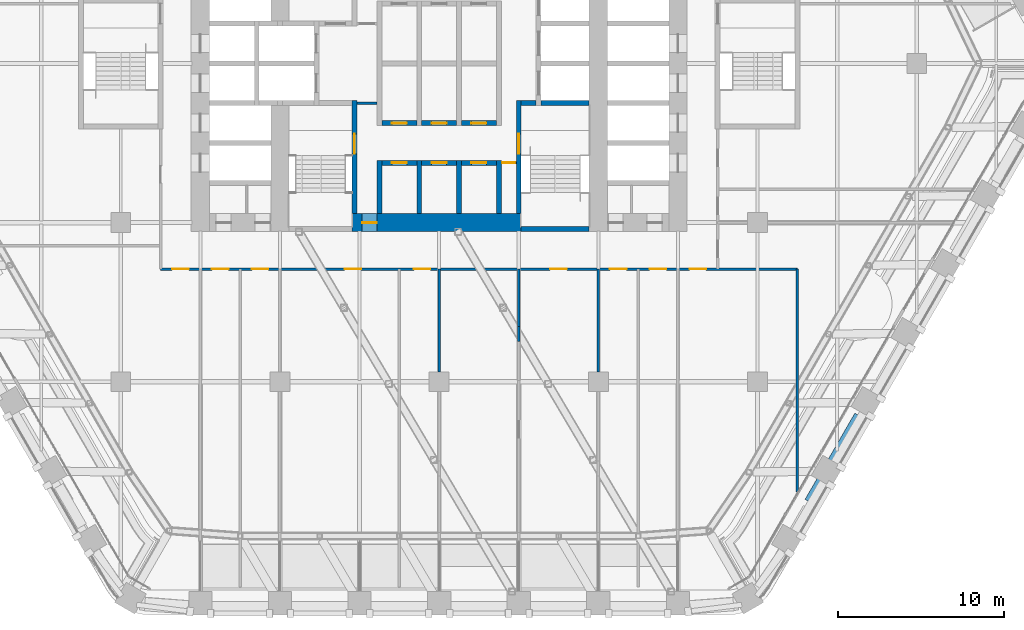
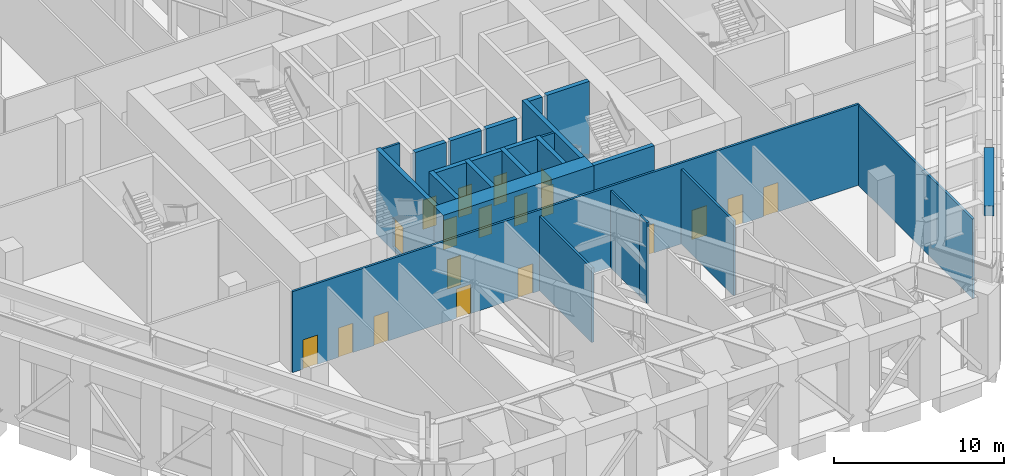
# One storey, part 19 of 35: 25 walls, 19 doors, 19 openings.
"""IFC4 building model written with IfcOpenShell, lengths in metres."""

from ifc_helpers import new_model, si_unit, direction, frame, frame_2d, origin, place, context, subcontext, project, spatial, rectangle, extrude, material, layer, layer_set, type_object, element, fill, save


model = new_model("IFC4")

# Units and contexts
model_context = context("Model", 3, precision=1e-05, world=origin(), true_north=direction((0.0, 1.0)))
body_context = subcontext(model_context, "Body", "Model", "MODEL_VIEW")
ifc_project = project(units=[si_unit("LENGTHUNIT", "METRE"), si_unit("AREAUNIT", "SQUARE_METRE"), si_unit("VOLUMEUNIT", "CUBIC_METRE"), si_unit("PLANEANGLEUNIT", "RADIAN"), si_unit("MASSUNIT", "GRAM", prefix="KILO")], contexts=[model_context])

# Site, building, storey
site_placement = place(None, origin())
site = spatial("IfcSite", under=ifc_project, at=site_placement, CompositionType="ELEMENT")
building_placement = place(site_placement, origin())
building = spatial("IfcBuilding", under=site, at=building_placement, Name="Kolab Exchange Tower", CompositionType="ELEMENT")
storey_placement = place(building_placement, frame((0.0, 0.0, 71.89990234375)))
storey = spatial("IfcBuildingStorey", under=building, at=storey_placement, Name="L13", CompositionType="ELEMENT", Elevation=71.89990234375)

# Wall, opening, door
ifc_material_1 = material(Name="Concrete C80/95", Category="concrete")
ifc_layer_1 = layer(ifc_material_1, 1.10009765625)
ifc_layer_set_1 = layer_set([ifc_layer_1], Name="Concrete C80/95")
wall_type_1 = type_object("IfcWallType", Name="CORE WALL 1100 C80/95", PredefinedType="SHEAR", material=ifc_layer_set_1)
wall_1_placement = place(storey_placement, frame((-5.25, -9.60009765625, -0.2998046875), z_axis=(0.0, 0.0, 1.0), x_axis=(1.0, 0.0, 0.0)))
wall_1 = element("IfcWall", 1, at=wall_1_placement, inside=storey, type_object=wall_type_1, Name="wall/L13/core/003", PredefinedType="SHEAR", context=body_context, shape_type="SweptSolid", body=[
    extrude(rectangle(XDim=10.199951171875, YDim=1.10009765625, at=frame_2d((5.10009765625, 0.0))), origin(), (0.0, 0.0, 1.0), 6.099853515625),
])
opening_1_placement = place(wall_1_placement, frame((0.60009765625, 0.0, 0.300048828125)))
opening_1 = element("IfcOpeningElement", 2, at=opening_1_placement, cuts=wall_1, Name="Opening D6-180", PredefinedType="OPENING", context=body_context, shape_type="SweptSolid", body=[
    extrude(rectangle(XDim=0.89990234375, YDim=2.10009765625, at=frame_2d((0.449951171875, 1.050048828125))), frame((0.0, 0.56005859375, 0.0), z_axis=(0.0, -1.0, 0.0), x_axis=(1.0, 0.0, 0.0)), (0.0, 0.0, 1.0), 1.1201171875),
])
ifc_material_2 = material(Name="Steel S235", Category="steel")
door_type_1 = type_object("IfcDoorType", Name="CORE DOOR 900 EI 120", OperationType="SINGLE_SWING_LEFT", PredefinedType="DOOR", material=ifc_material_2)
door_1_placement = place(opening_1_placement, origin())
door_1 = element("IfcDoor", 3, at=door_1_placement, inside=storey, type_object=door_type_1, Name="Core lobby door", OperationType="SINGLE_SWING_RIGHT", OverallHeight=2.10009765625, OverallWidth=0.89990234375, PredefinedType="DOOR", context=body_context, shape_type="SweptSolid", body=[
    extrude(rectangle(XDim=0.89990234375, YDim=2.10009765625, at=frame_2d((0.449951171875, 1.050048828125))), frame((0.0, 0.02490234375, 0.0), z_axis=(0.0, -1.0, 0.0), x_axis=(1.0, 0.0, 0.0)), (0.0, 0.0, 1.0), 0.050048828125),
])
fill(opening_1, door_1)

ifc_material_3 = material(Name="Concrete C50/60", Category="concrete")
ifc_layer_2 = layer(ifc_material_3, 0.300048828125)
ifc_layer_set_2 = layer_set([ifc_layer_2], Name="Concrete C50/60")
wall_type_2 = type_object("IfcWallType", Name="LIFT SHAFT WALL 300 C50/60", PredefinedType="STANDARD", material=ifc_layer_set_2)
wall_2_placement = place(storey_placement, frame((-3.449951171875, -6.0, -0.2998046875), z_axis=(0.0, 0.0, 1.0), x_axis=(1.0, 0.0, 0.0)))
wall_2 = element("IfcWall", 4, at=wall_2_placement, inside=storey, type_object=wall_type_2, Name="wall/L13/core/007", PredefinedType="STANDARD", context=body_context, shape_type="SweptSolid", body=[
    extrude(rectangle(XDim=2.099853515625, YDim=0.300048828125, at=frame_2d((1.0498046875, 0.0))), origin(), (0.0, 0.0, 1.0), 6.099853515625),
])
opening_2_placement = place(wall_2_placement, frame((0.60009765625, 0.0, 0.300048828125)))
opening_2 = element("IfcOpeningElement", 5, at=opening_2_placement, cuts=wall_2, Name="Opening D6-179", PredefinedType="OPENING", context=body_context, shape_type="SweptSolid", body=[
    extrude(rectangle(XDim=0.89990234375, YDim=2.10009765625, at=frame_2d((0.449951171875, 1.050048828125))), frame((0.0, 0.16015625, 0.0), z_axis=(0.0, -1.0, 0.0), x_axis=(1.0, 0.0, 0.0)), (0.0, 0.0, 1.0), 0.320068359375),
])
door_2_placement = place(opening_2_placement, frame((0.89990234375, 0.0, 0.0), z_axis=(0.0, 0.0, 1.0), x_axis=(-1.0, 0.0, 0.0)))
door_2 = element("IfcDoor", 6, at=door_2_placement, inside=storey, type_object=door_type_1, Name="Service room door", OperationType="SINGLE_SWING_LEFT", OverallHeight=2.10009765625, OverallWidth=0.89990234375, PredefinedType="DOOR", context=body_context, shape_type="SweptSolid", body=[
    extrude(rectangle(XDim=0.89990234375, YDim=2.10009765625, at=frame_2d((0.449951171875, 1.050048828125))), frame((0.0, 0.02490234375, 0.0), z_axis=(0.0, -1.0, 0.0), x_axis=(1.0, 0.0, 0.0)), (0.0, 0.0, 1.0), 0.050048828125),
])
fill(opening_2, door_2)

wall_3_placement = place(storey_placement, frame((-1.050048828125, -6.0, -0.2998046875), z_axis=(0.0, 0.0, 1.0), x_axis=(1.0, 0.0, 0.0)))
wall_3 = element("IfcWall", 7, at=wall_3_placement, inside=storey, type_object=wall_type_2, Name="wall/L13/core/008", PredefinedType="STANDARD", context=body_context, shape_type="SweptSolid", body=[
    extrude(rectangle(XDim=2.10009765625, YDim=0.300048828125, at=frame_2d((1.050048828125, 0.0))), origin(), (0.0, 0.0, 1.0), 6.099853515625),
])
opening_3_placement = place(wall_3_placement, frame((0.60009765625, 0.0, 0.300048828125)))
opening_3 = element("IfcOpeningElement", 8, at=opening_3_placement, cuts=wall_3, Name="Opening D6-178", PredefinedType="OPENING", context=body_context, shape_type="SweptSolid", body=[
    extrude(rectangle(XDim=0.89990234375, YDim=2.10009765625, at=frame_2d((0.449951171875, 1.050048828125))), frame((0.0, 0.16015625, 0.0), z_axis=(0.0, -1.0, 0.0), x_axis=(1.0, 0.0, 0.0)), (0.0, 0.0, 1.0), 0.320068359375),
])
door_3_placement = place(opening_3_placement, frame((0.89990234375, 0.0, 0.0), z_axis=(0.0, 0.0, 1.0), x_axis=(-1.0, 0.0, 0.0)))
door_3 = element("IfcDoor", 9, at=door_3_placement, inside=storey, type_object=door_type_1, Name="Service room door", OperationType="SINGLE_SWING_LEFT", OverallHeight=2.10009765625, OverallWidth=0.89990234375, PredefinedType="DOOR", context=body_context, shape_type="SweptSolid", body=[
    extrude(rectangle(XDim=0.89990234375, YDim=2.10009765625, at=frame_2d((0.449951171875, 1.050048828125))), frame((0.0, 0.02490234375, 0.0), z_axis=(0.0, -1.0, 0.0), x_axis=(1.0, 0.0, 0.0)), (0.0, 0.0, 1.0), 0.050048828125),
])
fill(opening_3, door_3)

wall_4_placement = place(storey_placement, frame((1.35009765625, -6.0, -0.2998046875), z_axis=(0.0, 0.0, 1.0), x_axis=(1.0, 0.0, 0.0)))
wall_4 = element("IfcWall", 10, at=wall_4_placement, inside=storey, type_object=wall_type_2, Name="wall/L13/core/009", PredefinedType="STANDARD", context=body_context, shape_type="SweptSolid", body=[
    extrude(rectangle(XDim=2.099853515625, YDim=0.300048828125, at=frame_2d((1.0498046875, 0.0))), origin(), (0.0, 0.0, 1.0), 6.099853515625),
])
opening_4_placement = place(wall_4_placement, frame((0.60009765625, 0.0, 0.300048828125)))
opening_4 = element("IfcOpeningElement", 11, at=opening_4_placement, cuts=wall_4, Name="Opening D6-177", PredefinedType="OPENING", context=body_context, shape_type="SweptSolid", body=[
    extrude(rectangle(XDim=0.89990234375, YDim=2.10009765625, at=frame_2d((0.449951171875, 1.050048828125))), frame((0.0, 0.16015625, 0.0), z_axis=(0.0, -1.0, 0.0), x_axis=(1.0, 0.0, 0.0)), (0.0, 0.0, 1.0), 0.320068359375),
])
door_4_placement = place(opening_4_placement, frame((0.89990234375, 0.0, 0.0), z_axis=(0.0, 0.0, 1.0), x_axis=(-1.0, 0.0, 0.0)))
door_4 = element("IfcDoor", 12, at=door_4_placement, inside=storey, type_object=door_type_1, Name="Service room door", OperationType="SINGLE_SWING_RIGHT", OverallHeight=2.10009765625, OverallWidth=0.89990234375, PredefinedType="DOOR", context=body_context, shape_type="SweptSolid", body=[
    extrude(rectangle(XDim=0.89990234375, YDim=2.10009765625, at=frame_2d((0.449951171875, 1.050048828125))), frame((0.0, 0.02490234375, 0.0), z_axis=(0.0, -1.0, 0.0), x_axis=(1.0, 0.0, 0.0)), (0.0, 0.0, 1.0), 0.050048828125),
])
fill(opening_4, door_4)

wall_5_placement = place(storey_placement, frame((-3.449951171875, -3.60009765625, -0.2998046875), z_axis=(0.0, 0.0, 1.0), x_axis=(1.0, 0.0, 0.0)))
wall_5 = element("IfcWall", 13, at=wall_5_placement, inside=storey, type_object=wall_type_2, Name="wall/L13/core/014", PredefinedType="STANDARD", context=body_context, shape_type="SweptSolid", body=[
    extrude(rectangle(XDim=2.099853515625, YDim=0.300048828125, at=frame_2d((1.0498046875, 0.0))), origin(), (0.0, 0.0, 1.0), 6.099853515625),
])
opening_5_placement = place(wall_5_placement, frame((0.60009765625, 0.0, 0.300048828125)))
opening_5 = element("IfcOpeningElement", 14, at=opening_5_placement, cuts=wall_5, Name="Opening D6-176", PredefinedType="OPENING", context=body_context, shape_type="SweptSolid", body=[
    extrude(rectangle(XDim=0.89990234375, YDim=2.10009765625, at=frame_2d((0.449951171875, 1.050048828125))), frame((0.0, 0.16015625, 0.0), z_axis=(0.0, -1.0, 0.0), x_axis=(1.0, 0.0, 0.0)), (0.0, 0.0, 1.0), 0.320068359375),
])
door_5_placement = place(opening_5_placement, origin())
door_5 = element("IfcDoor", 15, at=door_5_placement, inside=storey, type_object=door_type_1, Name="Service room door", OperationType="SINGLE_SWING_LEFT", OverallHeight=2.10009765625, OverallWidth=0.89990234375, PredefinedType="DOOR", context=body_context, shape_type="SweptSolid", body=[
    extrude(rectangle(XDim=0.89990234375, YDim=2.10009765625, at=frame_2d((0.449951171875, 1.050048828125))), frame((0.0, 0.02490234375, 0.0), z_axis=(0.0, -1.0, 0.0), x_axis=(1.0, 0.0, 0.0)), (0.0, 0.0, 1.0), 0.050048828125),
])
fill(opening_5, door_5)

wall_6_placement = place(storey_placement, frame((-1.050048828125, -3.60009765625, -0.2998046875), z_axis=(0.0, 0.0, 1.0), x_axis=(1.0, 0.0, 0.0)))
wall_6 = element("IfcWall", 16, at=wall_6_placement, inside=storey, type_object=wall_type_2, Name="wall/L13/core/015", PredefinedType="STANDARD", context=body_context, shape_type="SweptSolid", body=[
    extrude(rectangle(XDim=2.10009765625, YDim=0.300048828125, at=frame_2d((1.050048828125, 0.0))), origin(), (0.0, 0.0, 1.0), 6.099853515625),
])
opening_6_placement = place(wall_6_placement, frame((0.60009765625, 0.0, 0.300048828125)))
opening_6 = element("IfcOpeningElement", 17, at=opening_6_placement, cuts=wall_6, Name="Opening D6-175", PredefinedType="OPENING", context=body_context, shape_type="SweptSolid", body=[
    extrude(rectangle(XDim=0.89990234375, YDim=2.10009765625, at=frame_2d((0.449951171875, 1.050048828125))), frame((0.0, 0.16015625, 0.0), z_axis=(0.0, -1.0, 0.0), x_axis=(1.0, 0.0, 0.0)), (0.0, 0.0, 1.0), 0.320068359375),
])
door_6_placement = place(opening_6_placement, origin())
door_6 = element("IfcDoor", 18, at=door_6_placement, inside=storey, type_object=door_type_1, Name="Service room door", OperationType="SINGLE_SWING_RIGHT", OverallHeight=2.10009765625, OverallWidth=0.89990234375, PredefinedType="DOOR", context=body_context, shape_type="SweptSolid", body=[
    extrude(rectangle(XDim=0.89990234375, YDim=2.10009765625, at=frame_2d((0.449951171875, 1.050048828125))), frame((0.0, 0.02490234375, 0.0), z_axis=(0.0, -1.0, 0.0), x_axis=(1.0, 0.0, 0.0)), (0.0, 0.0, 1.0), 0.050048828125),
])
fill(opening_6, door_6)

wall_7_placement = place(storey_placement, frame((1.35009765625, -3.60009765625, -0.2998046875), z_axis=(0.0, 0.0, 1.0), x_axis=(1.0, 0.0, 0.0)))
wall_7 = element("IfcWall", 19, at=wall_7_placement, inside=storey, type_object=wall_type_2, Name="wall/L13/core/016", PredefinedType="STANDARD", context=body_context, shape_type="SweptSolid", body=[
    extrude(rectangle(XDim=2.099853515625, YDim=0.300048828125, at=frame_2d((1.0498046875, 0.0))), origin(), (0.0, 0.0, 1.0), 6.099853515625),
])
opening_7_placement = place(wall_7_placement, frame((0.60009765625, 0.0, 0.300048828125)))
opening_7 = element("IfcOpeningElement", 20, at=opening_7_placement, cuts=wall_7, Name="Opening D6-174", PredefinedType="OPENING", context=body_context, shape_type="SweptSolid", body=[
    extrude(rectangle(XDim=0.89990234375, YDim=2.10009765625, at=frame_2d((0.449951171875, 1.050048828125))), frame((0.0, 0.16015625, 0.0), z_axis=(0.0, -1.0, 0.0), x_axis=(1.0, 0.0, 0.0)), (0.0, 0.0, 1.0), 0.320068359375),
])
door_7_placement = place(opening_7_placement, origin())
door_7 = element("IfcDoor", 21, at=door_7_placement, inside=storey, type_object=door_type_1, Name="Service room door", OperationType="SINGLE_SWING_RIGHT", OverallHeight=2.10009765625, OverallWidth=0.89990234375, PredefinedType="DOOR", context=body_context, shape_type="SweptSolid", body=[
    extrude(rectangle(XDim=0.89990234375, YDim=2.10009765625, at=frame_2d((0.449951171875, 1.050048828125))), frame((0.0, 0.02490234375, 0.0), z_axis=(0.0, -1.0, 0.0), x_axis=(1.0, 0.0, 0.0)), (0.0, 0.0, 1.0), 0.050048828125),
])
fill(opening_7, door_7)

# Walls
for number, where, z_axis, x_axis, name in (
    (22, (-3.60009765625, -9.050048828125, -0.2998046875), (0.0, 0.0, 1.0), (0.0, 1.0, 0.0), "wall/L13/core/066"),
    (23, (-1.199951171875, -9.050048828125, -0.2998046875), (0.0, 0.0, 1.0), (0.0, 1.0, 0.0), "wall/L13/core/069"),
    (24, (1.199951171875, -9.050048828125, -0.2998046875), (0.0, 0.0, 1.0), (0.0, 1.0, 0.0), "wall/L13/core/072"),
    (25, (3.60009765625, -9.050048828125, -0.2998046875), (0.0, 0.0, 1.0), (0.0, 1.0, 0.0), "wall/L13/core/075"),
):
    element("IfcWall", number, at=place(storey_placement, frame(where, z_axis=z_axis, x_axis=x_axis)), inside=storey, type_object=wall_type_2, Name=name, PredefinedType="STANDARD", context=body_context, shape_type="SweptSolid", body=[
        extrude(rectangle(XDim=3.199951171875, YDim=0.300048828125, at=frame_2d((1.60009765625, 0.0))), origin(), (0.0, 0.0, 1.0), 6.099853515625),
    ])
ifc_material_4 = material(Name="Gypsum board", Category="gypsum")
ifc_layer_3 = layer(ifc_material_4, 0.14990234375)
ifc_layer_set_3 = layer_set([ifc_layer_3], Name="Gypsum board")
wall_type_3 = type_object("IfcWallType", Name="PARTITION 150 FIRE-RATED", PredefinedType="PARTITIONING", material=ifc_layer_set_3)
wall_8_placement = place(storey_placement, frame((21.60009765625, -25.8583984375, 0.0), z_axis=(0.0, 0.0, 1.0), x_axis=(0.0, 1.0, 0.0)))
element("IfcWall", 26, at=wall_8_placement, inside=storey, type_object=wall_type_3, Name="Partition 000", PredefinedType="PARTITIONING", context=body_context, shape_type="SweptSolid", body=[
    extrude(rectangle(XDim=13.45849609375, YDim=0.14990234375, at=frame_2d((6.729248046875, 0.0))), origin(), (0.0, 0.0, 1.0), 5.7001953125),
])
wall_9_placement = place(storey_placement, frame((9.60009765625, -18.60009765625, 0.0), z_axis=(0.0, 0.0, 1.0), x_axis=(0.0, 1.0, 0.0)))
element("IfcWall", 27, at=wall_9_placement, inside=storey, type_object=wall_type_3, Name="Partition 012", PredefinedType="PARTITIONING", context=body_context, shape_type="SweptSolid", body=[
    extrude(rectangle(XDim=6.2001953125, YDim=0.14990234375, at=frame_2d((3.10009765625, 0.0))), origin(), (0.0, 0.0, 1.0), 5.343017578125),
])
wall_10_placement = place(storey_placement, frame((4.800048828125, -16.77880859375, 0.0), z_axis=(0.0, 0.0, 1.0), x_axis=(0.0, 1.0, 0.0)))
element("IfcWall", 28, at=wall_10_placement, inside=storey, type_object=wall_type_3, Name="Partition 015", PredefinedType="PARTITIONING", context=body_context, shape_type="SweptSolid", body=[
    extrude(rectangle(XDim=0.902099609375, YDim=0.14990234375, at=frame_2d((0.451171875, 0.0))), origin(), (0.0, 0.0, 1.0), 5.800048828125),
])
wall_11_placement = place(storey_placement, frame((4.800048828125, -15.876708984375, 0.0), z_axis=(0.0, 0.0, 1.0), x_axis=(0.0, 1.0, 0.0)))
element("IfcWall", 29, at=wall_11_placement, inside=storey, type_object=wall_type_3, Name="Partition 015", PredefinedType="PARTITIONING", context=body_context, shape_type="SweptSolid", body=[
    extrude(rectangle(XDim=3.476806640625, YDim=0.14990234375, at=frame_2d((1.73828125, 0.0))), origin(), (0.0, 0.0, 1.0), 5.489990234375),
])
wall_12_placement = place(storey_placement, frame((0.0, -18.60009765625, 0.0), z_axis=(0.0, 0.0, 1.0), x_axis=(0.0, 1.0, 0.0)))
element("IfcWall", 30, at=wall_12_placement, inside=storey, type_object=wall_type_3, Name="Partition 018", PredefinedType="PARTITIONING", context=body_context, shape_type="SweptSolid", body=[
    extrude(rectangle(XDim=6.2001953125, YDim=0.14990234375, at=frame_2d((3.10009765625, 0.0))), origin(), (0.0, 0.0, 1.0), 5.343017578125),
])

# Wall, openings, doors
wall_13_placement = place(storey_placement, frame((-16.800048828125, -12.39990234375, 0.0), z_axis=(0.0, 0.0, 1.0), x_axis=(1.0, 0.0, 0.0)))
wall_13 = element("IfcWall", 31, at=wall_13_placement, inside=storey, type_object=wall_type_3, Name="Partition 038", PredefinedType="PARTITIONING", context=body_context, shape_type="SweptSolid", body=[
    extrude(rectangle(XDim=38.400146484375, YDim=0.14990234375, at=frame_2d((19.2001953125, 0.0))), origin(), (0.0, 0.0, 1.0), 5.800048828125),
])
opening_8_placement = place(wall_13_placement, frame((0.699951171875, 0.0, 0.0)))
opening_8 = element("IfcOpeningElement", 32, at=opening_8_placement, cuts=wall_13, Name="Opening D1-182", PredefinedType="OPENING", context=body_context, shape_type="SweptSolid", body=[
    extrude(rectangle(XDim=1.0, YDim=2.10009765625, at=frame_2d((0.5, 1.050048828125))), frame((0.0, 0.0849609375, 0.0), z_axis=(0.0, -1.0, 0.0), x_axis=(1.0, 0.0, 0.0)), (0.0, 0.0, 1.0), 0.169921875),
])
opening_9_placement = place(wall_13_placement, frame((3.10009765625, 0.0, 0.0)))
opening_9 = element("IfcOpeningElement", 33, at=opening_9_placement, cuts=wall_13, Name="Opening D1-183", PredefinedType="OPENING", context=body_context, shape_type="SweptSolid", body=[
    extrude(rectangle(XDim=1.0, YDim=2.10009765625, at=frame_2d((0.5, 1.050048828125))), frame((0.0, 0.0849609375, 0.0), z_axis=(0.0, -1.0, 0.0), x_axis=(1.0, 0.0, 0.0)), (0.0, 0.0, 1.0), 0.169921875),
])
opening_10_placement = place(wall_13_placement, frame((5.5, 0.0, 0.0)))
opening_10 = element("IfcOpeningElement", 34, at=opening_10_placement, cuts=wall_13, Name="Opening D1-184", PredefinedType="OPENING", context=body_context, shape_type="SweptSolid", body=[
    extrude(rectangle(XDim=1.0, YDim=2.10009765625, at=frame_2d((0.5, 1.050048828125))), frame((0.0, 0.0849609375, 0.0), z_axis=(0.0, -1.0, 0.0), x_axis=(1.0, 0.0, 0.0)), (0.0, 0.0, 1.0), 0.169921875),
])
opening_11_placement = place(wall_13_placement, frame((11.094970703125, 0.0, 0.0)))
opening_11 = element("IfcOpeningElement", 35, at=opening_11_placement, cuts=wall_13, Name="Opening D1-185", PredefinedType="OPENING", context=body_context, shape_type="SweptSolid", body=[
    extrude(rectangle(XDim=1.0, YDim=2.10009765625, at=frame_2d((0.5, 1.050048828125))), frame((0.0, 0.0849609375, 0.0), z_axis=(0.0, -1.0, 0.0), x_axis=(1.0, 0.0, 0.0)), (0.0, 0.0, 1.0), 0.169921875),
])
opening_12_placement = place(wall_13_placement, frame((15.27490234375, 0.0, 0.0)))
opening_12 = element("IfcOpeningElement", 36, at=opening_12_placement, cuts=wall_13, Name="Opening D1-186", PredefinedType="OPENING", context=body_context, shape_type="SweptSolid", body=[
    extrude(rectangle(XDim=1.0, YDim=2.10009765625, at=frame_2d((0.5, 1.050048828125))), frame((0.0, 0.0849609375, 0.0), z_axis=(0.0, -1.0, 0.0), x_axis=(1.0, 0.0, 0.0)), (0.0, 0.0, 1.0), 0.169921875),
])
opening_13_placement = place(wall_13_placement, frame((23.5, 0.0, 0.0)))
opening_13 = element("IfcOpeningElement", 37, at=opening_13_placement, cuts=wall_13, Name="Opening D1-188", PredefinedType="OPENING", context=body_context, shape_type="SweptSolid", body=[
    extrude(rectangle(XDim=1.0, YDim=2.10009765625, at=frame_2d((0.5, 1.050048828125))), frame((0.0, 0.0849609375, 0.0), z_axis=(0.0, -1.0, 0.0), x_axis=(1.0, 0.0, 0.0)), (0.0, 0.0, 1.0), 0.169921875),
])
opening_14_placement = place(wall_13_placement, frame((27.10009765625, 0.0, 0.0)))
opening_14 = element("IfcOpeningElement", 38, at=opening_14_placement, cuts=wall_13, Name="Opening D1-189", PredefinedType="OPENING", context=body_context, shape_type="SweptSolid", body=[
    extrude(rectangle(XDim=1.0, YDim=2.10009765625, at=frame_2d((0.5, 1.050048828125))), frame((0.0, 0.0849609375, 0.0), z_axis=(0.0, -1.0, 0.0), x_axis=(1.0, 0.0, 0.0)), (0.0, 0.0, 1.0), 0.169921875),
])
opening_15_placement = place(wall_13_placement, frame((29.5, 0.0, 0.0)))
opening_15 = element("IfcOpeningElement", 39, at=opening_15_placement, cuts=wall_13, Name="Opening D1-190", PredefinedType="OPENING", context=body_context, shape_type="SweptSolid", body=[
    extrude(rectangle(XDim=1.0, YDim=2.10009765625, at=frame_2d((0.5, 1.050048828125))), frame((0.0, 0.0849609375, 0.0), z_axis=(0.0, -1.0, 0.0), x_axis=(1.0, 0.0, 0.0)), (0.0, 0.0, 1.0), 0.169921875),
])
opening_16_placement = place(wall_13_placement, frame((31.89990234375, 0.0, 0.0)))
opening_16 = element("IfcOpeningElement", 40, at=opening_16_placement, cuts=wall_13, Name="Opening D1-191", PredefinedType="OPENING", context=body_context, shape_type="SweptSolid", body=[
    extrude(rectangle(XDim=1.0, YDim=2.10009765625, at=frame_2d((0.5, 1.050048828125))), frame((0.0, 0.0849609375, 0.0), z_axis=(0.0, -1.0, 0.0), x_axis=(1.0, 0.0, 0.0)), (0.0, 0.0, 1.0), 0.169921875),
])
door_type_2 = type_object("IfcDoorType", Name="FLUSH DOOR 1000 FD60", OperationType="SINGLE_SWING_LEFT", PredefinedType="DOOR", material=ifc_material_2)
door_8_placement = place(opening_8_placement, frame((1.0, 0.0, 0.0), z_axis=(0.0, 0.0, 1.0), x_axis=(-1.0, 0.0, 0.0)))
door_8 = element("IfcDoor", 41, at=door_8_placement, inside=storey, type_object=door_type_2, Name="Door L13-061", OperationType="SINGLE_SWING_RIGHT", OverallHeight=2.10009765625, OverallWidth=1.0, PredefinedType="DOOR", context=body_context, shape_type="SweptSolid", body=[
    extrude(rectangle(XDim=1.0, YDim=2.10009765625, at=frame_2d((0.5, 1.050048828125))), frame((0.0, 0.02490234375, 0.0), z_axis=(0.0, -1.0, 0.0), x_axis=(1.0, 0.0, 0.0)), (0.0, 0.0, 1.0), 0.050048828125),
])
fill(opening_8, door_8)
door_9_placement = place(opening_9_placement, frame((1.0, 0.0, 0.0), z_axis=(0.0, 0.0, 1.0), x_axis=(-1.0, 0.0, 0.0)))
door_9 = element("IfcDoor", 42, at=door_9_placement, inside=storey, type_object=door_type_2, Name="Door L13-062", OperationType="SINGLE_SWING_LEFT", OverallHeight=2.10009765625, OverallWidth=1.0, PredefinedType="DOOR", context=body_context, shape_type="SweptSolid", body=[
    extrude(rectangle(XDim=1.0, YDim=2.10009765625, at=frame_2d((0.5, 1.050048828125))), frame((0.0, 0.02490234375, 0.0), z_axis=(0.0, -1.0, 0.0), x_axis=(1.0, 0.0, 0.0)), (0.0, 0.0, 1.0), 0.050048828125),
])
fill(opening_9, door_9)
door_10_placement = place(opening_10_placement, frame((1.0, 0.0, 0.0), z_axis=(0.0, 0.0, 1.0), x_axis=(-1.0, 0.0, 0.0)))
door_10 = element("IfcDoor", 43, at=door_10_placement, inside=storey, type_object=door_type_2, Name="Door L13-063", OperationType="SINGLE_SWING_LEFT", OverallHeight=2.10009765625, OverallWidth=1.0, PredefinedType="DOOR", context=body_context, shape_type="SweptSolid", body=[
    extrude(rectangle(XDim=1.0, YDim=2.10009765625, at=frame_2d((0.5, 1.050048828125))), frame((0.0, 0.02490234375, 0.0), z_axis=(0.0, -1.0, 0.0), x_axis=(1.0, 0.0, 0.0)), (0.0, 0.0, 1.0), 0.050048828125),
])
fill(opening_10, door_10)
door_11_placement = place(opening_11_placement, frame((1.0, 0.0, 0.0), z_axis=(0.0, 0.0, 1.0), x_axis=(-1.0, 0.0, 0.0)))
door_11 = element("IfcDoor", 44, at=door_11_placement, inside=storey, type_object=door_type_2, Name="Door L13-064", OperationType="SINGLE_SWING_RIGHT", OverallHeight=2.10009765625, OverallWidth=1.0, PredefinedType="DOOR", context=body_context, shape_type="SweptSolid", body=[
    extrude(rectangle(XDim=1.0, YDim=2.10009765625, at=frame_2d((0.5, 1.050048828125))), frame((0.0, 0.02490234375, 0.0), z_axis=(0.0, -1.0, 0.0), x_axis=(1.0, 0.0, 0.0)), (0.0, 0.0, 1.0), 0.050048828125),
])
fill(opening_11, door_11)
door_12_placement = place(opening_12_placement, frame((1.0, 0.0, 0.0), z_axis=(0.0, 0.0, 1.0), x_axis=(-1.0, 0.0, 0.0)))
door_12 = element("IfcDoor", 45, at=door_12_placement, inside=storey, type_object=door_type_2, Name="Door L13-065", OperationType="SINGLE_SWING_RIGHT", OverallHeight=2.10009765625, OverallWidth=1.0, PredefinedType="DOOR", context=body_context, shape_type="SweptSolid", body=[
    extrude(rectangle(XDim=1.0, YDim=2.10009765625, at=frame_2d((0.5, 1.050048828125))), frame((0.0, 0.02490234375, 0.0), z_axis=(0.0, -1.0, 0.0), x_axis=(1.0, 0.0, 0.0)), (0.0, 0.0, 1.0), 0.050048828125),
])
fill(opening_12, door_12)
door_13_placement = place(opening_13_placement, frame((1.0, 0.0, 0.0), z_axis=(0.0, 0.0, 1.0), x_axis=(-1.0, 0.0, 0.0)))
door_13 = element("IfcDoor", 46, at=door_13_placement, inside=storey, type_object=door_type_2, Name="Door L13-067", OperationType="SINGLE_SWING_LEFT", OverallHeight=2.10009765625, OverallWidth=1.0, PredefinedType="DOOR", context=body_context, shape_type="SweptSolid", body=[
    extrude(rectangle(XDim=1.0, YDim=2.10009765625, at=frame_2d((0.5, 1.050048828125))), frame((0.0, 0.02490234375, 0.0), z_axis=(0.0, -1.0, 0.0), x_axis=(1.0, 0.0, 0.0)), (0.0, 0.0, 1.0), 0.050048828125),
])
fill(opening_13, door_13)
door_14_placement = place(opening_14_placement, frame((1.0, 0.0, 0.0), z_axis=(0.0, 0.0, 1.0), x_axis=(-1.0, 0.0, 0.0)))
door_14 = element("IfcDoor", 47, at=door_14_placement, inside=storey, type_object=door_type_2, Name="Door L13-068", OperationType="SINGLE_SWING_RIGHT", OverallHeight=2.10009765625, OverallWidth=1.0, PredefinedType="DOOR", context=body_context, shape_type="SweptSolid", body=[
    extrude(rectangle(XDim=1.0, YDim=2.10009765625, at=frame_2d((0.5, 1.050048828125))), frame((0.0, 0.02490234375, 0.0), z_axis=(0.0, -1.0, 0.0), x_axis=(1.0, 0.0, 0.0)), (0.0, 0.0, 1.0), 0.050048828125),
])
fill(opening_14, door_14)
door_15_placement = place(opening_15_placement, frame((1.0, 0.0, 0.0), z_axis=(0.0, 0.0, 1.0), x_axis=(-1.0, 0.0, 0.0)))
door_15 = element("IfcDoor", 48, at=door_15_placement, inside=storey, type_object=door_type_2, Name="Door L13-069", OperationType="SINGLE_SWING_LEFT", OverallHeight=2.10009765625, OverallWidth=1.0, PredefinedType="DOOR", context=body_context, shape_type="SweptSolid", body=[
    extrude(rectangle(XDim=1.0, YDim=2.10009765625, at=frame_2d((0.5, 1.050048828125))), frame((0.0, 0.02490234375, 0.0), z_axis=(0.0, -1.0, 0.0), x_axis=(1.0, 0.0, 0.0)), (0.0, 0.0, 1.0), 0.050048828125),
])
fill(opening_15, door_15)
door_16_placement = place(opening_16_placement, frame((1.0, 0.0, 0.0), z_axis=(0.0, 0.0, 1.0), x_axis=(-1.0, 0.0, 0.0)))
door_16 = element("IfcDoor", 49, at=door_16_placement, inside=storey, type_object=door_type_2, Name="Door L13-070", OperationType="SINGLE_SWING_LEFT", OverallHeight=2.10009765625, OverallWidth=1.0, PredefinedType="DOOR", context=body_context, shape_type="SweptSolid", body=[
    extrude(rectangle(XDim=1.0, YDim=2.10009765625, at=frame_2d((0.5, 1.050048828125))), frame((0.0, 0.02490234375, 0.0), z_axis=(0.0, -1.0, 0.0), x_axis=(1.0, 0.0, 0.0)), (0.0, 0.0, 1.0), 0.050048828125),
])
fill(opening_16, door_16)

# Wall, opening, door
wall_14_placement = place(storey_placement, frame((3.75, -6.0, 0.0), z_axis=(0.0, 0.0, 1.0), x_axis=(1.0, 0.0, 0.0)))
wall_14 = element("IfcWall", 50, at=wall_14_placement, inside=storey, type_object=wall_type_3, Name="Partition 043", PredefinedType="PARTITIONING", context=body_context, shape_type="SweptSolid", body=[
    extrude(rectangle(XDim=0.89990234375, YDim=0.14990234375, at=frame_2d((0.449951171875, 0.0))), origin(), (0.0, 0.0, 1.0), 5.800048828125),
])
opening_17_placement = place(wall_14_placement, frame((0.050048828125, 0.0, 0.0)))
opening_17 = element("IfcOpeningElement", 51, at=opening_17_placement, cuts=wall_14, Name="Opening D7-017", PredefinedType="OPENING", context=body_context, shape_type="SweptSolid", body=[
    extrude(rectangle(XDim=0.800048828125, YDim=2.10009765625, at=frame_2d((0.39990234375, 1.050048828125))), frame((0.0, 0.0849609375, 0.0), z_axis=(0.0, -1.0, 0.0), x_axis=(1.0, 0.0, 0.0)), (0.0, 0.0, 1.0), 0.169921875),
])
door_type_3 = type_object("IfcDoorType", Name="FLUSH DOOR 800 FD60", OperationType="SINGLE_SWING_LEFT", PredefinedType="DOOR", material=ifc_material_2)
door_17_placement = place(opening_17_placement, frame((0.800048828125, 0.0, 0.0), z_axis=(0.0, 0.0, 1.0), x_axis=(-1.0, 0.0, 0.0)))
door_17 = element("IfcDoor", 52, at=door_17_placement, inside=storey, type_object=door_type_3, Name="Door L13-043", OperationType="SINGLE_SWING_RIGHT", OverallHeight=2.10009765625, OverallWidth=0.800048828125, PredefinedType="DOOR", context=body_context, shape_type="SweptSolid", body=[
    extrude(rectangle(XDim=0.800048828125, YDim=2.10009765625, at=frame_2d((0.39990234375, 1.050048828125))), frame((0.0, 0.02490234375, 0.0), z_axis=(0.0, -1.0, 0.0), x_axis=(1.0, 0.0, 0.0)), (0.0, 0.0, 1.0), 0.050048828125),
])
fill(opening_17, door_17)

# Walls
wall_15_placement = place(storey_placement, frame((-4.949951171875, -2.39990234375, 0.0), z_axis=(0.0, 0.0, 1.0), x_axis=(1.0, 0.0, 0.0)))
element("IfcWall", 53, at=wall_15_placement, inside=storey, type_object=wall_type_3, Name="Fire partition", PredefinedType="PARTITIONING", context=body_context, shape_type="SweptSolid", body=[
    extrude(rectangle(XDim=1.199951171875, YDim=0.14990234375, at=frame_2d((0.60009765625, 0.0))), origin(), (0.0, 0.0, 1.0), 5.800048828125),
])
ifc_material_5 = material(Name="Granite facing", Category="masonry")
ifc_layer_4 = layer(ifc_material_5, 0.0400390625)
ifc_material_6 = material(Name="Concrete C40/50 precast", Category="concrete")
ifc_layer_5 = layer(ifc_material_6, 0.56005859375)
ifc_layer_set_4 = layer_set([ifc_layer_4, ifc_layer_5], Name="Concrete C40/50 precast")
wall_type_4 = type_object("IfcWallType", Name="PLANTER BOX 600 X 700 SOIL DEPTH 550", PredefinedType="USERDEFINED", material=ifc_layer_set_4)
wall_16_placement = place(storey_placement, frame((25.326904296875, -21.243408203125, 6.0), z_axis=(0.0, 0.0, 1.0), x_axis=(-0.499990139034, -0.866031096941, 0.0)))
element("IfcWall", 54, at=wall_16_placement, inside=storey, type_object=wall_type_4, Name="Planter", ObjectType="PLANTER", PredefinedType="USERDEFINED", context=body_context, shape_type="SweptSolid", body=[
    extrude(rectangle(XDim=6.0, YDim=0.60009765625, at=frame_2d((3.0, 0.0))), origin(), (0.0, 0.0, 1.0), 0.7001953125),
])
ifc_layer_6 = layer(ifc_material_3, 0.300048828125)
ifc_layer_set_5 = layer_set([ifc_layer_6], Name="Concrete C50/60")
wall_type_5 = type_object("IfcWallType", Name="STAIR ENCLOSURE WALL 300 C50/60", PredefinedType="STANDARD", material=ifc_layer_set_5)
wall_17_placement = place(storey_placement, frame((4.949951171875, -10.0, -0.2998046875), z_axis=(0.0, 0.0, 1.0), x_axis=(1.0, 0.0, 0.0)))
element("IfcWall", 55, at=wall_17_placement, inside=storey, type_object=wall_type_5, Name="wall/L13/core/001", PredefinedType="STANDARD", context=body_context, shape_type="SweptSolid", body=[
    extrude(rectangle(XDim=4.10009765625, YDim=0.300048828125, at=frame_2d((2.050048828125, 0.0))), origin(), (0.0, 0.0, 1.0), 6.099853515625),
])
wall_18_placement = place(storey_placement, frame((4.949951171875, -2.39990234375, -0.2998046875), z_axis=(0.0, 0.0, 1.0), x_axis=(1.0, 0.0, 0.0)))
element("IfcWall", 56, at=wall_18_placement, inside=storey, type_object=wall_type_5, Name="wall/L13/core/021", PredefinedType="STANDARD", context=body_context, shape_type="SweptSolid", body=[
    extrude(rectangle(XDim=0.900146484375, YDim=0.300048828125, at=frame_2d((0.4501953125, 0.0))), origin(), (0.0, 0.0, 1.0), 6.099853515625),
])
wall_19_placement = place(storey_placement, frame((6.14990234375, -2.39990234375, -0.2998046875), z_axis=(0.0, 0.0, 1.0), x_axis=(1.0, 0.0, 0.0)))
element("IfcWall", 57, at=wall_19_placement, inside=storey, type_object=wall_type_5, Name="wall/L13/core/022", PredefinedType="STANDARD", context=body_context, shape_type="SweptSolid", body=[
    extrude(rectangle(XDim=2.900146484375, YDim=0.300048828125, at=frame_2d((1.4501953125, 0.0))), origin(), (0.0, 0.0, 1.0), 6.099853515625),
])

# Wall, opening, door
wall_20_placement = place(storey_placement, frame((-5.10009765625, -9.050048828125, -0.2998046875), z_axis=(0.0, 0.0, 1.0), x_axis=(0.0, 1.0, 0.0)))
wall_20 = element("IfcWall", 58, at=wall_20_placement, inside=storey, type_object=wall_type_5, Name="wall/L13/core/064", PredefinedType="STANDARD", context=body_context, shape_type="SweptSolid", body=[
    extrude(rectangle(XDim=6.800048828125, YDim=0.300048828125, at=frame_2d((3.39990234375, 0.0))), origin(), (0.0, 0.0, 1.0), 6.099853515625),
])
opening_18_placement = place(wall_20_placement, frame((3.60009765625, 0.0, 0.300048828125)))
opening_18 = element("IfcOpeningElement", 59, at=opening_18_placement, cuts=wall_20, Name="Opening D4-040", PredefinedType="OPENING", context=body_context, shape_type="SweptSolid", body=[
    extrude(rectangle(XDim=1.199951171875, YDim=2.10009765625, at=frame_2d((0.60009765625, 1.050048828125))), frame((0.0, 0.16015625, 0.0), z_axis=(0.0, -1.0, 0.0), x_axis=(1.0, 0.0, 0.0)), (0.0, 0.0, 1.0), 0.320068359375),
])
door_type_4 = type_object("IfcDoorType", Name="STAIR DOOR 1200 EI 120", OperationType="SINGLE_SWING_LEFT", PredefinedType="DOOR", material=ifc_material_2)
door_18_placement = place(opening_18_placement, origin())
door_18 = element("IfcDoor", 60, at=door_18_placement, inside=storey, type_object=door_type_4, Name="Stair 3 door", OperationType="SINGLE_SWING_RIGHT", OverallHeight=2.10009765625, OverallWidth=1.199951171875, PredefinedType="DOOR", context=body_context, shape_type="SweptSolid", body=[
    extrude(rectangle(XDim=1.199951171875, YDim=2.10009765625, at=frame_2d((0.60009765625, 1.050048828125))), frame((0.0, 0.02490234375, 0.0), z_axis=(0.0, -1.0, 0.0), x_axis=(1.0, 0.0, 0.0)), (0.0, 0.0, 1.0), 0.050048828125),
])
fill(opening_18, door_18)

wall_21_placement = place(storey_placement, frame((4.800048828125, -9.050048828125, -0.2998046875), z_axis=(0.0, 0.0, 1.0), x_axis=(0.0, 1.0, 0.0)))
wall_21 = element("IfcWall", 61, at=wall_21_placement, inside=storey, type_object=wall_type_5, Name="wall/L13/core/078", PredefinedType="STANDARD", context=body_context, shape_type="SweptSolid", body=[
    extrude(rectangle(XDim=6.800048828125, YDim=0.300048828125, at=frame_2d((3.39990234375, 0.0))), origin(), (0.0, 0.0, 1.0), 6.099853515625),
])
opening_19_placement = place(wall_21_placement, frame((3.60009765625, 0.0, 0.300048828125)))
opening_19 = element("IfcOpeningElement", 62, at=opening_19_placement, cuts=wall_21, Name="Opening D4-039", PredefinedType="OPENING", context=body_context, shape_type="SweptSolid", body=[
    extrude(rectangle(XDim=1.199951171875, YDim=2.10009765625, at=frame_2d((0.60009765625, 1.050048828125))), frame((0.0, 0.16015625, 0.0), z_axis=(0.0, -1.0, 0.0), x_axis=(1.0, 0.0, 0.0)), (0.0, 0.0, 1.0), 0.320068359375),
])
door_19_placement = place(opening_19_placement, frame((1.199951171875, 0.0, 0.0), z_axis=(0.0, 0.0, 1.0), x_axis=(-1.0, 0.0, 0.0)))
door_19 = element("IfcDoor", 63, at=door_19_placement, inside=storey, type_object=door_type_4, Name="Stair 2 door", OperationType="SINGLE_SWING_RIGHT", OverallHeight=2.10009765625, OverallWidth=1.199951171875, PredefinedType="DOOR", context=body_context, shape_type="SweptSolid", body=[
    extrude(rectangle(XDim=1.199951171875, YDim=2.10009765625, at=frame_2d((0.60009765625, 1.050048828125))), frame((0.0, 0.02490234375, 0.0), z_axis=(0.0, -1.0, 0.0), x_axis=(1.0, 0.0, 0.0)), (0.0, 0.0, 1.0), 0.050048828125),
])
fill(opening_19, door_19)

save(model, "model.ifc")
